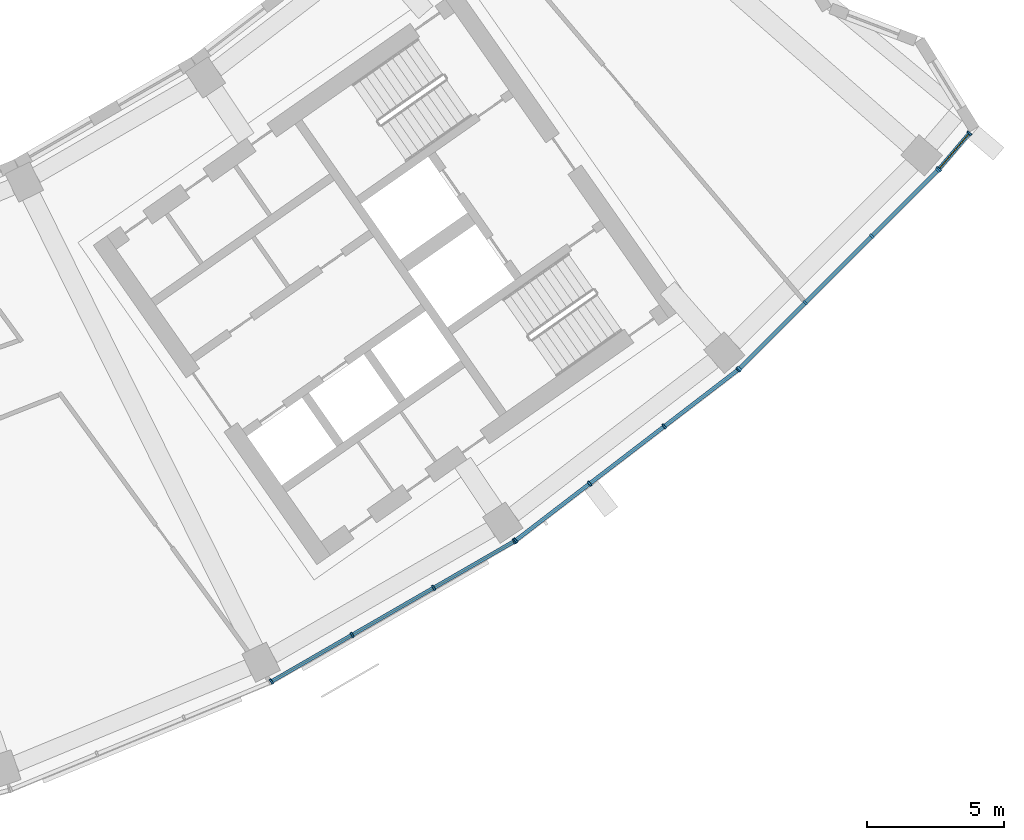
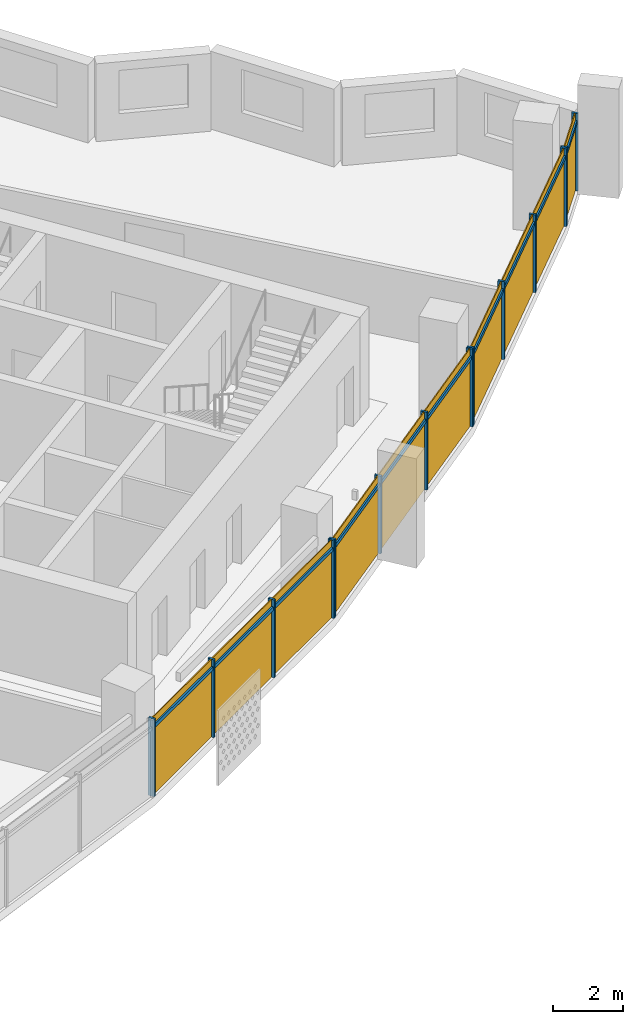
# One storey, part 22 of 28: 24 members, 4 curtain walls.
"""IFC4 building model written with IfcOpenShell, lengths in metres."""

from ifc_helpers import new_model, si_unit, direction, frame, origin, origin_2d, place, context, subcontext, project, spatial, rectangle, extrude, material, material_profile, profile_set, type_object, element, aggregate, save


model = new_model("IFC4")

# Units and contexts
model_context = context("Model", 3, precision=1e-05, world=origin(), true_north=direction((0.0, 1.0)))
body_context = subcontext(model_context, "Body", "Model", "MODEL_VIEW")
ifc_project = project(units=[si_unit("LENGTHUNIT", "METRE"), si_unit("AREAUNIT", "SQUARE_METRE"), si_unit("VOLUMEUNIT", "CUBIC_METRE"), si_unit("PLANEANGLEUNIT", "RADIAN"), si_unit("MASSUNIT", "GRAM", prefix="KILO")], contexts=[model_context])

# Member
ifc_material = material(Name="Aluminium 6063-T6 anodised", Category="aluminium")
ifc_material_profile_1 = material_profile(ifc_material, rectangle(XDim=0.199951171875, YDim=0.070068359375, at=origin_2d()))
ifc_profile_set_1 = profile_set([ifc_material_profile_1], Name="Aluminium 6063-T6 anodised")
member_type_1 = type_object("IfcMemberType", Name="Mullion 70 x 200 aluminium", PredefinedType="MULLION", material=ifc_profile_set_1)
site_placement = place(None, origin())
building_placement = place(site_placement, origin())
storey_placement = place(building_placement, frame((0.0, 0.0, 215.10009765625)))
member_1_placement = place(storey_placement, frame((34.766357421875, -70.43505859375, 0.0), z_axis=(0.0, 0.0, 1.0), x_axis=(-0.5, 0.866025403784, 0.0)))
member_1 = element("IfcMember", 1, at=member_1_placement, type_object=member_type_1, Name="e-cw1-L51-out12/M00", PredefinedType="MULLION", context=body_context, shape_type="SweptSolid", body=[
    extrude(rectangle(XDim=0.199951171875, YDim=0.070068359375, at=origin_2d()), origin(), (0.0, 0.0, 1.0), 2.699951171875),
])

member_2_placement = place(storey_placement, frame((37.705810546875, -68.73779296875, 0.0), z_axis=(0.0, 0.0, 1.0), x_axis=(-0.5, 0.866025403784, 0.0)))
member_2 = element("IfcMember", 2, at=member_2_placement, type_object=member_type_1, Name="e-cw1-L51-out12/M01", PredefinedType="MULLION", context=body_context, shape_type="SweptSolid", body=[
    extrude(rectangle(XDim=0.199951171875, YDim=0.070068359375, at=origin_2d()), origin(), (0.0, 0.0, 1.0), 2.699951171875),
])

member_3_placement = place(storey_placement, frame((40.67578125, -67.023193359375, 0.0), z_axis=(0.0, 0.0, 1.0), x_axis=(-0.5, 0.866025403784, 0.0)))
member_3 = element("IfcMember", 3, at=member_3_placement, type_object=member_type_1, Name="e-cw1-L51-out12/M02", PredefinedType="MULLION", context=body_context, shape_type="SweptSolid", body=[
    extrude(rectangle(XDim=0.199951171875, YDim=0.070068359375, at=origin_2d()), origin(), (0.0, 0.0, 1.0), 2.699951171875),
])

member_4_placement = place(storey_placement, frame((43.615234375, -65.325927734375, 0.0), z_axis=(0.0, 0.0, 1.0), x_axis=(-0.5, 0.866025403784, 0.0)))
member_4 = element("IfcMember", 4, at=member_4_placement, type_object=member_type_1, Name="e-cw1-L51-out12/M03", PredefinedType="MULLION", context=body_context, shape_type="SweptSolid", body=[
    extrude(rectangle(XDim=0.199951171875, YDim=0.070068359375, at=origin_2d()), origin(), (0.0, 0.0, 1.0), 2.699951171875),
])

member_5_placement = place(storey_placement, frame((43.66259765625, -65.29443359375, 0.0), z_axis=(0.0, 0.0, 1.0), x_axis=(-0.608761429009, 0.793353340291, 0.0)))
member_5 = element("IfcMember", 5, at=member_5_placement, type_object=member_type_1, Name="e-cw1-L51-out13/M00", PredefinedType="MULLION", context=body_context, shape_type="SweptSolid", body=[
    extrude(rectangle(XDim=0.199951171875, YDim=0.070068359375, at=origin_2d()), origin(), (0.0, 0.0, 1.0), 2.699951171875),
])

member_6_placement = place(storey_placement, frame((46.35546875, -63.22802734375, 0.0), z_axis=(0.0, 0.0, 1.0), x_axis=(-0.608761429009, 0.793353340291, 0.0)))
member_6 = element("IfcMember", 6, at=member_6_placement, type_object=member_type_1, Name="e-cw1-L51-out13/M01", PredefinedType="MULLION", context=body_context, shape_type="SweptSolid", body=[
    extrude(rectangle(XDim=0.199951171875, YDim=0.070068359375, at=origin_2d()), origin(), (0.0, 0.0, 1.0), 2.699951171875),
])

member_7_placement = place(storey_placement, frame((49.075927734375, -61.140380859375, 0.0), z_axis=(0.0, 0.0, 1.0), x_axis=(-0.608761429009, 0.793353340291, 0.0)))
member_7 = element("IfcMember", 7, at=member_7_placement, type_object=member_type_1, Name="e-cw1-L51-out13/M02", PredefinedType="MULLION", context=body_context, shape_type="SweptSolid", body=[
    extrude(rectangle(XDim=0.199951171875, YDim=0.070068359375, at=origin_2d()), origin(), (0.0, 0.0, 1.0), 2.699951171875),
])

member_8_placement = place(storey_placement, frame((51.768798828125, -59.07421875, 0.0), z_axis=(0.0, 0.0, 1.0), x_axis=(-0.608761429009, 0.793353340291, 0.0)))
member_8 = element("IfcMember", 8, at=member_8_placement, type_object=member_type_1, Name="e-cw1-L51-out13/M03", PredefinedType="MULLION", context=body_context, shape_type="SweptSolid", body=[
    extrude(rectangle(XDim=0.199951171875, YDim=0.070068359375, at=origin_2d()), origin(), (0.0, 0.0, 1.0), 2.699951171875),
])

member_9_placement = place(storey_placement, frame((51.8115234375, -59.03662109375, 0.0), z_axis=(0.0, 0.0, 1.0), x_axis=(-0.707106781187, 0.707106781187, 0.0)))
member_9 = element("IfcMember", 9, at=member_9_placement, type_object=member_type_1, Name="e-cw1-L51-out14/M00", PredefinedType="MULLION", context=body_context, shape_type="SweptSolid", body=[
    extrude(rectangle(XDim=0.199951171875, YDim=0.070068359375, at=origin_2d()), origin(), (0.0, 0.0, 1.0), 2.699951171875),
])

member_10_placement = place(storey_placement, frame((54.211669921875, -56.63671875, 0.0), z_axis=(0.0, 0.0, 1.0), x_axis=(-0.707106781187, 0.707106781187, 0.0)))
member_10 = element("IfcMember", 10, at=member_10_placement, type_object=member_type_1, Name="e-cw1-L51-out14/M01", PredefinedType="MULLION", context=body_context, shape_type="SweptSolid", body=[
    extrude(rectangle(XDim=0.199951171875, YDim=0.070068359375, at=origin_2d()), origin(), (0.0, 0.0, 1.0), 2.699951171875),
])

member_11_placement = place(storey_placement, frame((56.63671875, -54.211669921875, 0.0), z_axis=(0.0, 0.0, 1.0), x_axis=(-0.707106781187, 0.707106781187, 0.0)))
member_11 = element("IfcMember", 11, at=member_11_placement, type_object=member_type_1, Name="e-cw1-L51-out14/M02", PredefinedType="MULLION", context=body_context, shape_type="SweptSolid", body=[
    extrude(rectangle(XDim=0.199951171875, YDim=0.070068359375, at=origin_2d()), origin(), (0.0, 0.0, 1.0), 2.699951171875),
])

member_12_placement = place(storey_placement, frame((59.03662109375, -51.8115234375, 0.0), z_axis=(0.0, 0.0, 1.0), x_axis=(-0.707106781187, 0.707106781187, 0.0)))
member_12 = element("IfcMember", 12, at=member_12_placement, type_object=member_type_1, Name="e-cw1-L51-out14/M03", PredefinedType="MULLION", context=body_context, shape_type="SweptSolid", body=[
    extrude(rectangle(XDim=0.199951171875, YDim=0.070068359375, at=origin_2d()), origin(), (0.0, 0.0, 1.0), 2.699951171875),
])

member_13_placement = place(storey_placement, frame((59.078857421875, -51.76611328125, 0.0), z_axis=(0.0, 0.0, 1.0), x_axis=(-0.760854442079, 0.648922582416, 0.0)))
member_13 = element("IfcMember", 13, at=member_13_placement, type_object=member_type_1, Name="e-cw1-L51-out15/M00", PredefinedType="MULLION", context=body_context, shape_type="SweptSolid", body=[
    extrude(rectangle(XDim=0.199951171875, YDim=0.070068359375, at=origin_2d()), origin(), (0.0, 0.0, 1.0), 2.699951171875),
])

member_14_placement = place(storey_placement, frame((60.190185546875, -50.462890625, 0.0), z_axis=(0.0, 0.0, 1.0), x_axis=(-0.760854442079, 0.648922582416, 0.0)))
member_14 = element("IfcMember", 14, at=member_14_placement, type_object=member_type_1, Name="e-cw1-L51-out15/M01", PredefinedType="MULLION", context=body_context, shape_type="SweptSolid", body=[
    extrude(rectangle(XDim=0.199951171875, YDim=0.070068359375, at=origin_2d()), origin(), (0.0, 0.0, 1.0), 2.699951171875),
])

ifc_material_profile_2 = material_profile(ifc_material, rectangle(XDim=0.139892578125, YDim=0.1201171875, at=origin_2d()))
ifc_profile_set_2 = profile_set([ifc_material_profile_2], Name="Aluminium 6063-T6 anodised")
member_type_2 = type_object("IfcMemberType", Name="Transom 120 x 140 aluminium", PredefinedType="USERDEFINED", material=ifc_profile_set_2)
member_15_placement = place(storey_placement, frame((34.796630859375, -70.41748046875, 2.39990234375), z_axis=(0.866029041019, 0.499993700073, 0.0), x_axis=(-0.499993700073, 0.866029041019, 0.0)))
member_15 = element("IfcMember", 15, at=member_15_placement, type_object=member_type_2, Name="e-cw1-L51-out12/T00", ObjectType="TRANSOM", PredefinedType="USERDEFINED", context=body_context, shape_type="SweptSolid", body=[
    extrude(rectangle(XDim=0.139892578125, YDim=0.1201171875, at=origin_2d()), origin(), (0.0, 0.0, 1.0), 3.32421875),
])

member_16_placement = place(storey_placement, frame((37.736083984375, -68.72021484375, 2.39990234375), z_axis=(0.866034314054, 0.499984566643, 0.0), x_axis=(-0.499984566643, 0.866034314054, 0.0)))
member_16 = element("IfcMember", 16, at=member_16_placement, type_object=member_type_2, Name="e-cw1-L51-out12/T01", ObjectType="TRANSOM", PredefinedType="USERDEFINED", context=body_context, shape_type="SweptSolid", body=[
    extrude(rectangle(XDim=0.139892578125, YDim=0.1201171875, at=origin_2d()), origin(), (0.0, 0.0, 1.0), 3.359375),
])

member_17_placement = place(storey_placement, frame((40.7060546875, -67.005615234375, 2.39990234375), z_axis=(0.866029041019, 0.499993700073, 0.0), x_axis=(-0.499993700073, 0.866029041019, 0.0)))
member_17 = element("IfcMember", 17, at=member_17_placement, type_object=member_type_2, Name="e-cw1-L51-out12/T02", ObjectType="TRANSOM", PredefinedType="USERDEFINED", context=body_context, shape_type="SweptSolid", body=[
    extrude(rectangle(XDim=0.139892578125, YDim=0.1201171875, at=origin_2d()), origin(), (0.0, 0.0, 1.0), 3.32421875),
])

member_18_placement = place(storey_placement, frame((43.690185546875, -65.273193359375, 2.39990234375), z_axis=(0.793368713958, 0.608741393132, 0.0), x_axis=(-0.608741393132, 0.793368713958, 0.0)))
member_18 = element("IfcMember", 18, at=member_18_placement, type_object=member_type_2, Name="e-cw1-L51-out13/T00", ObjectType="TRANSOM", PredefinedType="USERDEFINED", context=body_context, shape_type="SweptSolid", body=[
    extrude(rectangle(XDim=0.139892578125, YDim=0.1201171875, at=origin_2d()), origin(), (0.0, 0.0, 1.0), 3.324462890625),
])

member_19_placement = place(storey_placement, frame((46.383056640625, -63.206787109375, 2.39990234375), z_axis=(0.793385234627, 0.608719861247, 0.0), x_axis=(-0.608719861247, 0.793385234627, 0.0)))
member_19 = element("IfcMember", 19, at=member_19_placement, type_object=member_type_2, Name="e-cw1-L51-out13/T01", ObjectType="TRANSOM", PredefinedType="USERDEFINED", context=body_context, shape_type="SweptSolid", body=[
    extrude(rectangle(XDim=0.139892578125, YDim=0.1201171875, at=origin_2d()), origin(), (0.0, 0.0, 1.0), 3.359375),
])

member_20_placement = place(storey_placement, frame((49.103759765625, -61.119140625, 2.39990234375), z_axis=(0.793368713958, 0.608741393132, 0.0), x_axis=(-0.608741393132, 0.793368713958, 0.0)))
member_20 = element("IfcMember", 20, at=member_20_placement, type_object=member_type_2, Name="e-cw1-L51-out13/T02", ObjectType="TRANSOM", PredefinedType="USERDEFINED", context=body_context, shape_type="SweptSolid", body=[
    extrude(rectangle(XDim=0.139892578125, YDim=0.1201171875, at=origin_2d()), origin(), (0.0, 0.0, 1.0), 3.324462890625),
])

member_21_placement = place(storey_placement, frame((51.83642578125, -59.011962890625, 2.39990234375), z_axis=(0.707106781187, 0.707106781187, 0.0), x_axis=(-0.707106781187, 0.707106781187, 0.0)))
member_21 = element("IfcMember", 21, at=member_21_placement, type_object=member_type_2, Name="e-cw1-L51-out14/T00", ObjectType="TRANSOM", PredefinedType="USERDEFINED", context=body_context, shape_type="SweptSolid", body=[
    extrude(rectangle(XDim=0.139892578125, YDim=0.1201171875, at=origin_2d()), origin(), (0.0, 0.0, 1.0), 3.32421875),
])

member_22_placement = place(storey_placement, frame((54.236572265625, -56.61181640625, 2.39990234375), z_axis=(0.707106781187, 0.707106781187, 0.0), x_axis=(-0.707106781187, 0.707106781187, 0.0)))
member_22 = element("IfcMember", 22, at=member_22_placement, type_object=member_type_2, Name="e-cw1-L51-out14/T01", ObjectType="TRANSOM", PredefinedType="USERDEFINED", context=body_context, shape_type="SweptSolid", body=[
    extrude(rectangle(XDim=0.139892578125, YDim=0.1201171875, at=origin_2d()), origin(), (0.0, 0.0, 1.0), 3.359130859375),
])

member_23_placement = place(storey_placement, frame((56.661376953125, -54.18701171875, 2.39990234375), z_axis=(0.707106781187, 0.707106781187, 0.0), x_axis=(-0.707106781187, 0.707106781187, 0.0)))
member_23 = element("IfcMember", 23, at=member_23_placement, type_object=member_type_2, Name="e-cw1-L51-out14/T02", ObjectType="TRANSOM", PredefinedType="USERDEFINED", context=body_context, shape_type="SweptSolid", body=[
    extrude(rectangle(XDim=0.139892578125, YDim=0.1201171875, at=origin_2d()), origin(), (0.0, 0.0, 1.0), 3.32421875),
])

member_24_placement = place(storey_placement, frame((59.1015625, -51.739501953125, 2.39990234375), z_axis=(0.648855512078, 0.760911640367, 0.0), x_axis=(-0.760911640367, 0.648855512078, 0.0)))
member_24 = element("IfcMember", 24, at=member_24_placement, type_object=member_type_2, Name="e-cw1-L51-out15/T00", ObjectType="TRANSOM", PredefinedType="USERDEFINED", context=body_context, shape_type="SweptSolid", body=[
    extrude(rectangle(XDim=0.139892578125, YDim=0.1201171875, at=origin_2d()), origin(), (0.0, 0.0, 1.0), 1.642822265625),
])

# Site, building, storey
site = spatial("IfcSite", under=ifc_project, at=site_placement, CompositionType="ELEMENT")
building = spatial("IfcBuilding", under=site, at=building_placement, Name="Qamariyya Broadcast Tower", CompositionType="ELEMENT")
storey = spatial("IfcBuildingStorey", under=building, at=storey_placement, Name="L51", CompositionType="ELEMENT", Elevation=215.10009765625)

# Curtain wall
curtain_wall_type = type_object("IfcCurtainWallType", Name="Unitised curtain wall, anodised aluminium", PredefinedType="NOTDEFINED", material=ifc_material)
curtain_wall_1_placement = place(storey_placement, origin())
curtain_wall_1 = element("IfcCurtainWall", 25, at=curtain_wall_1_placement, inside=storey, type_object=curtain_wall_type, Name="e-cw1-L51-out12", PredefinedType="NOTDEFINED", context=body_context, shape_type="SweptSolid", body=[
    extrude(rectangle(XDim=3.32421875, YDim=0.031982421875, at=origin_2d()), frame((36.236083984375, -69.58642578125, 0.0), x_axis=(0.866027904674, 0.499995668308, 0.0)), (0.0, 0.0, 1.0), 2.340087890625),
    extrude(rectangle(XDim=3.32421875, YDim=0.031982421875, at=origin_2d()), frame((36.236083984375, -69.58642578125, 2.4599609375), x_axis=(0.866027904674, 0.499995668308, 0.0)), (0.0, 0.0, 1.0), 0.239990234375),
    extrude(rectangle(XDim=3.359130859375, YDim=0.031982421875, at=origin_2d()), frame((39.19091796875, -67.88037109375, 0.0), x_axis=(0.866027904674, 0.499995668308, 0.0)), (0.0, 0.0, 1.0), 2.340087890625),
    extrude(rectangle(XDim=3.359130859375, YDim=0.031982421875, at=origin_2d()), frame((39.19091796875, -67.88037109375, 2.4599609375), x_axis=(0.866027904674, 0.499995668308, 0.0)), (0.0, 0.0, 1.0), 0.239990234375),
    extrude(rectangle(XDim=3.32421875, YDim=0.031982421875, at=origin_2d()), frame((42.1455078125, -66.174560546875, 0.0), x_axis=(0.866027904674, 0.499995668308, 0.0)), (0.0, 0.0, 1.0), 2.340087890625),
    extrude(rectangle(XDim=3.32421875, YDim=0.031982421875, at=origin_2d()), frame((42.1455078125, -66.174560546875, 2.4599609375), x_axis=(0.866027904674, 0.499995668308, 0.0)), (0.0, 0.0, 1.0), 0.239990234375),
])

aggregate(curtain_wall_1, [member_1, member_2, member_3, member_4, member_15, member_16, member_17])

curtain_wall_2_placement = place(storey_placement, origin())
curtain_wall_2 = element("IfcCurtainWall", 26, at=curtain_wall_2_placement, inside=storey, type_object=curtain_wall_type, Name="e-cw1-L51-out13", PredefinedType="NOTDEFINED", context=body_context, shape_type="SweptSolid", body=[
    extrude(rectangle(XDim=3.32421875, YDim=0.031982421875, at=origin_2d()), frame((45.009033203125, -64.26123046875, 0.0), x_axis=(0.793359168734, 0.608753833159, 0.0)), (0.0, 0.0, 1.0), 2.340087890625),
    extrude(rectangle(XDim=3.32421875, YDim=0.031982421875, at=origin_2d()), frame((45.009033203125, -64.26123046875, 2.4599609375), x_axis=(0.793359168734, 0.608753833159, 0.0)), (0.0, 0.0, 1.0), 0.239990234375),
    extrude(rectangle(XDim=3.359130859375, YDim=0.031982421875, at=origin_2d()), frame((47.7158203125, -62.184326171875, 0.0), x_axis=(0.793359168734, 0.608753833159, 0.0)), (0.0, 0.0, 1.0), 2.340087890625),
    extrude(rectangle(XDim=3.359130859375, YDim=0.031982421875, at=origin_2d()), frame((47.7158203125, -62.184326171875, 2.4599609375), x_axis=(0.793359168734, 0.608753833159, 0.0)), (0.0, 0.0, 1.0), 0.239990234375),
    extrude(rectangle(XDim=3.32421875, YDim=0.031982421875, at=origin_2d()), frame((50.42236328125, -60.107421875, 0.0), x_axis=(0.793359168734, 0.608753833159, 0.0)), (0.0, 0.0, 1.0), 2.340087890625),
    extrude(rectangle(XDim=3.32421875, YDim=0.031982421875, at=origin_2d()), frame((50.42236328125, -60.107421875, 2.4599609375), x_axis=(0.793359168734, 0.608753833159, 0.0)), (0.0, 0.0, 1.0), 0.239990234375),
])

aggregate(curtain_wall_2, [member_5, member_6, member_7, member_8, member_18, member_19, member_20])

curtain_wall_3_placement = place(storey_placement, origin())
curtain_wall_3 = element("IfcCurtainWall", 27, at=curtain_wall_3_placement, inside=storey, type_object=curtain_wall_type, Name="e-cw1-L51-out14", PredefinedType="NOTDEFINED", context=body_context, shape_type="SweptSolid", body=[
    extrude(rectangle(XDim=3.32421875, YDim=0.031982421875, at=origin_2d()), frame((53.01171875, -57.836669921875, 0.0), x_axis=(0.707106781187, 0.707106781187, 0.0)), (0.0, 0.0, 1.0), 2.340087890625),
    extrude(rectangle(XDim=3.32421875, YDim=0.031982421875, at=origin_2d()), frame((53.01171875, -57.836669921875, 2.4599609375), x_axis=(0.707106781187, 0.707106781187, 0.0)), (0.0, 0.0, 1.0), 0.239990234375),
    extrude(rectangle(XDim=3.359375, YDim=0.031982421875, at=origin_2d()), frame((55.42431640625, -55.42431640625, 0.0), x_axis=(0.707106781187, 0.707106781187, 0.0)), (0.0, 0.0, 1.0), 2.340087890625),
    extrude(rectangle(XDim=3.359375, YDim=0.031982421875, at=origin_2d()), frame((55.42431640625, -55.42431640625, 2.4599609375), x_axis=(0.707106781187, 0.707106781187, 0.0)), (0.0, 0.0, 1.0), 0.239990234375),
    extrude(rectangle(XDim=3.32421875, YDim=0.031982421875, at=origin_2d()), frame((57.836669921875, -53.01171875, 0.0), x_axis=(0.707106781187, 0.707106781187, 0.0)), (0.0, 0.0, 1.0), 2.340087890625),
    extrude(rectangle(XDim=3.32421875, YDim=0.031982421875, at=origin_2d()), frame((57.836669921875, -53.01171875, 2.4599609375), x_axis=(0.707106781187, 0.707106781187, 0.0)), (0.0, 0.0, 1.0), 0.239990234375),
])

aggregate(curtain_wall_3, [member_9, member_10, member_11, member_12, member_21, member_22, member_23])

curtain_wall_4_placement = place(storey_placement, origin())
curtain_wall_4 = element("IfcCurtainWall", 28, at=curtain_wall_4_placement, inside=storey, type_object=curtain_wall_type, Name="e-cw1-L51-out15", PredefinedType="NOTDEFINED", context=body_context, shape_type="SweptSolid", body=[
    extrude(rectangle(XDim=1.642578125, YDim=0.031982421875, at=origin_2d()), frame((59.634521484375, -51.114501953125, 0.0), x_axis=(0.648871989911, 0.760897588844, 0.0)), (0.0, 0.0, 1.0), 2.340087890625),
    extrude(rectangle(XDim=1.642578125, YDim=0.031982421875, at=origin_2d()), frame((59.634521484375, -51.114501953125, 2.4599609375), x_axis=(0.648871989911, 0.760897588844, 0.0)), (0.0, 0.0, 1.0), 0.239990234375),
])

aggregate(curtain_wall_4, [member_13, member_14, member_24])

save(model, "model.ifc")
